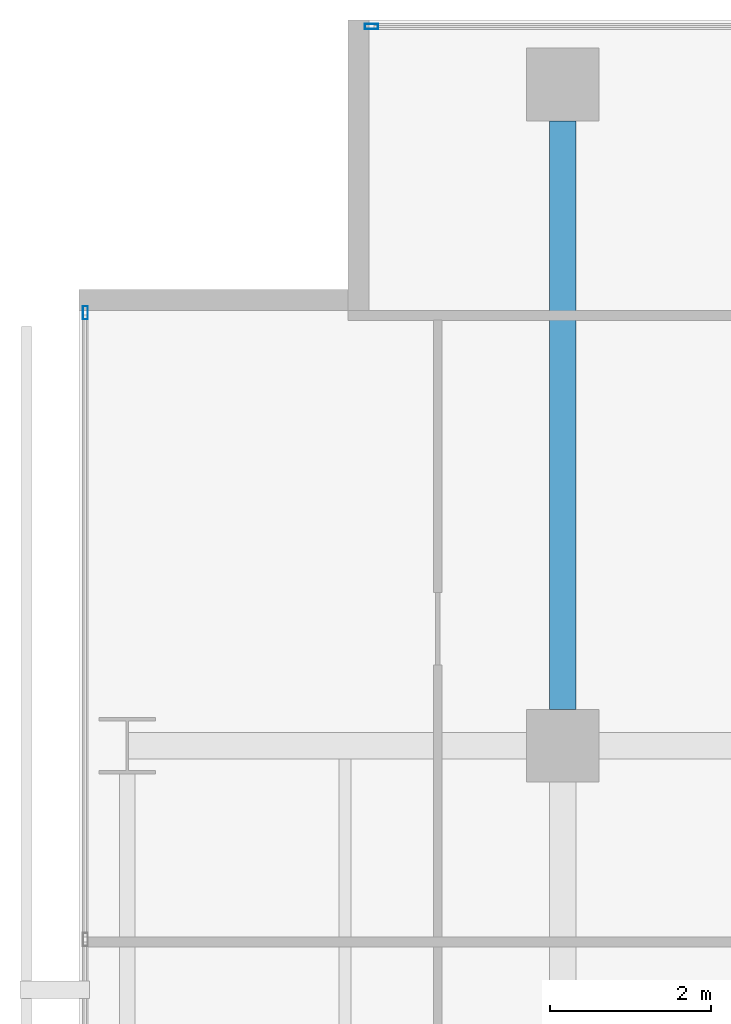
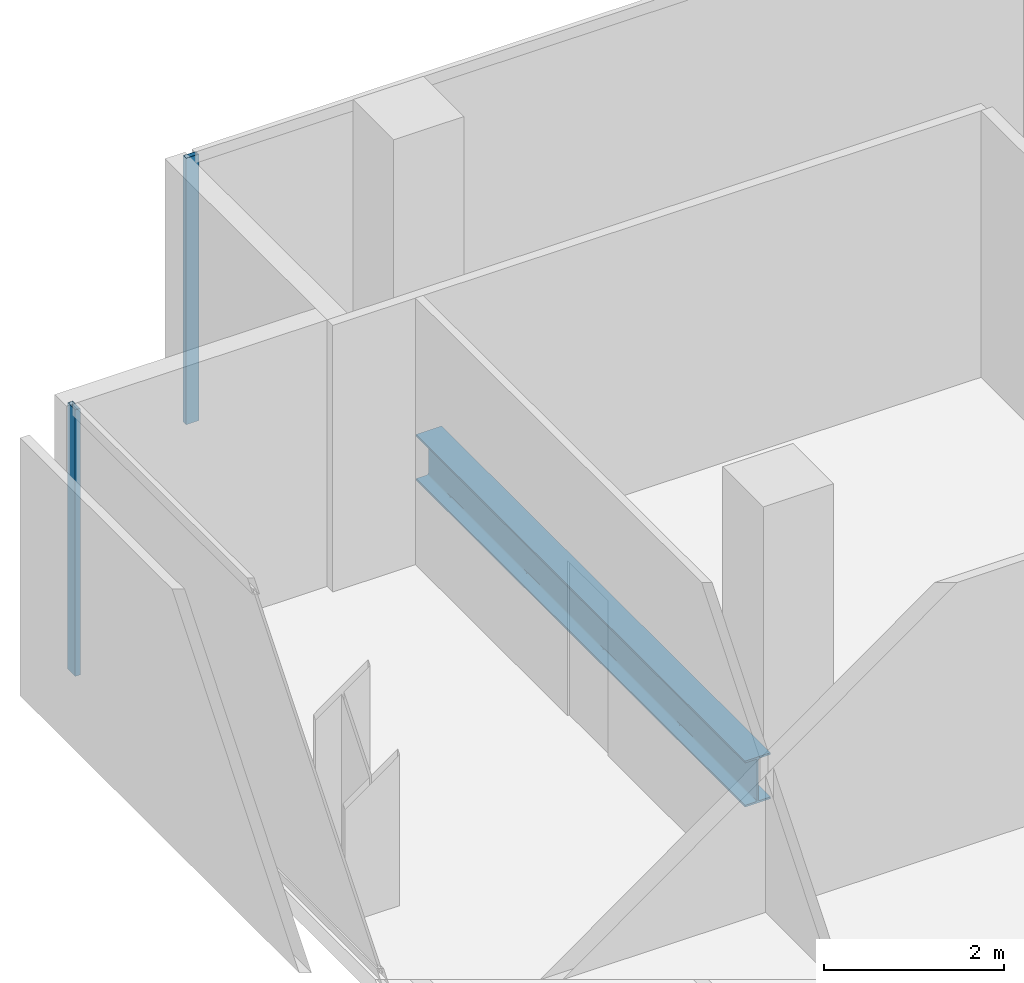
# One storey, part 25 of 40: 2 members, 1 beam, 2 elements without a shape of their own.
"""IFC4 building model written with IfcOpenShell, lengths in metres."""

from ifc_helpers import new_model, si_unit, direction, frame, origin, origin_2d, place, context, subcontext, project, spatial, hollow_rectangle, i_section, extrude, material, layer, layer_set, material_profile, profile_set, type_object, element, aggregate, save


model = new_model("IFC4")

# Units and contexts
model_context = context("Model", 3, precision=1e-05, world=origin(), true_north=direction((0.0, 1.0)))
body_context = subcontext(model_context, "Body", "Model", "MODEL_VIEW")
ifc_project = project(units=[si_unit("LENGTHUNIT", "METRE"), si_unit("AREAUNIT", "SQUARE_METRE"), si_unit("VOLUMEUNIT", "CUBIC_METRE"), si_unit("PLANEANGLEUNIT", "RADIAN"), si_unit("MASSUNIT", "GRAM", prefix="KILO")], contexts=[model_context])

# Site, building, storey
site_placement = place(None, origin())
site = spatial("IfcSite", under=ifc_project, at=site_placement, CompositionType="ELEMENT")
building_placement = place(site_placement, origin())
building = spatial("IfcBuilding", under=site, at=building_placement, Name="Maruvema Waterfront Hotel and Observation Tower", CompositionType="ELEMENT")
storey_placement = place(building_placement, frame((0.0, 0.0, 57.75)))
storey = spatial("IfcBuildingStorey", under=building, at=storey_placement, Name="L13", CompositionType="ELEMENT", Elevation=57.75)

# Curtain wall, member
ifc_material_1 = material(Name="Anodised bronze aluminium and solar-control low-E IGU", Category="aluminium")
ifc_layer = layer(ifc_material_1, 0.159912109375, Name="Zone 1 Bronze Inner Thermal Curtain Wall System CW-02")
ifc_layer_set = layer_set([ifc_layer], Name="Anodised bronze aluminium and solar-control low-E IGU")
curtain_wall_type = type_object("IfcCurtainWallType", Name="Zone 1 Bronze Inner Thermal Curtain Wall System CW-02", PredefinedType="USERDEFINED", material=ifc_layer_set)
curtain_wall_1_placement = place(storey_placement, origin())
curtain_wall_1 = element("IfcCurtainWall", 1, at=curtain_wall_1_placement, inside=storey, type_object=curtain_wall_type, Name="L13 Curtain Wall CW-L13-W", ObjectType="UNITISED CURTAIN WALL", PredefinedType="USERDEFINED")
ifc_material_2 = material(Name="Anodised architectural bronze aluminium", Category="aluminium")
ifc_material_profile_1 = material_profile(ifc_material_2, hollow_rectangle(XDim=0.06494140625, YDim=0.1650390625, WallThickness=0.00390625, at=origin_2d()), Name="ALU-M65x165")
ifc_profile_set_1 = profile_set([ifc_material_profile_1], Name="Anodised architectural bronze aluminium")
member_type = type_object("IfcMemberType", Name="Curtain Wall Primary Mullion ALU-M65x165", PredefinedType="MULLION", material=ifc_profile_set_1)
member_1_placement = place(storey_placement, frame((10.8798828125, 50.3701171875, 0.0), z_axis=(0.0, 0.0, 1.0), x_axis=(1.0, 0.0, 0.0)))
member_1 = element("IfcMember", 2, at=member_1_placement, type_object=member_type, Name="CW-02 mullion 1", PredefinedType="MULLION", context=body_context, shape_type="SweptSolid", body=[
    extrude(hollow_rectangle(XDim=0.06494140625, YDim=0.1650390625, WallThickness=0.00390625, at=origin_2d()), origin(), (0.0, 0.0, 1.0), 3.610107421875),
])
aggregate(curtain_wall_1, [member_1])

curtain_wall_2_placement = place(storey_placement, origin())
curtain_wall_2 = element("IfcCurtainWall", 3, at=curtain_wall_2_placement, inside=storey, type_object=curtain_wall_type, Name="L13 Curtain Wall CW-L13-NW", ObjectType="UNITISED CURTAIN WALL", PredefinedType="USERDEFINED")
member_2_placement = place(storey_placement, frame((14.429931640625, 53.919921875, 0.0), z_axis=(0.0, 0.0, 1.0), x_axis=(0.0, -1.0, 0.0)))
member_2 = element("IfcMember", 4, at=member_2_placement, type_object=member_type, Name="CW-02 mullion 2", PredefinedType="MULLION", context=body_context, shape_type="SweptSolid", body=[
    extrude(hollow_rectangle(XDim=0.06494140625, YDim=0.1650390625, WallThickness=0.00390625, at=origin_2d()), origin(), (0.0, 0.0, 1.0), 3.610107421875),
])
aggregate(curtain_wall_2, [member_2])

# Beam
ifc_material_3 = material(Name="Steel ASTM A572 Grade 50", Category="steel")
ifc_material_profile_2 = material_profile(ifc_material_3, i_section(OverallWidth=0.326904296875, OverallDepth=0.6220703125, WebThickness=0.015380859375, FlangeThickness=0.0244140625, FilletRadius=0.01806640625, at=origin_2d()), Name="W610x195.0")
ifc_profile_set_2 = profile_set([ifc_material_profile_2], Name="Steel ASTM A572 Grade 50")
beam_type = type_object("IfcBeamType", Name="Primary Floor Girder W610x195.0", PredefinedType="BEAM", material=ifc_profile_set_2)
beam_placement = place(storey_placement, frame((16.800048828125, 45.449951171875, -0.551025390625), z_axis=(0.0, 1.0, 0.0), x_axis=(-1.0, 0.0, 0.0)))
element("IfcBeam", 5, at=beam_placement, inside=storey, type_object=beam_type, Name="L13 Floor Girder NS-10", PredefinedType="BEAM", context=body_context, shape_type="SweptSolid", body=[
    extrude(i_section(OverallWidth=0.326904296875, OverallDepth=0.6220703125, WebThickness=0.015380859375, FlangeThickness=0.0244140625, FilletRadius=0.01806640625, at=origin_2d()), origin(), (0.0, 0.0, 1.0), 7.300048828125),
])

save(model, "model.ifc")
